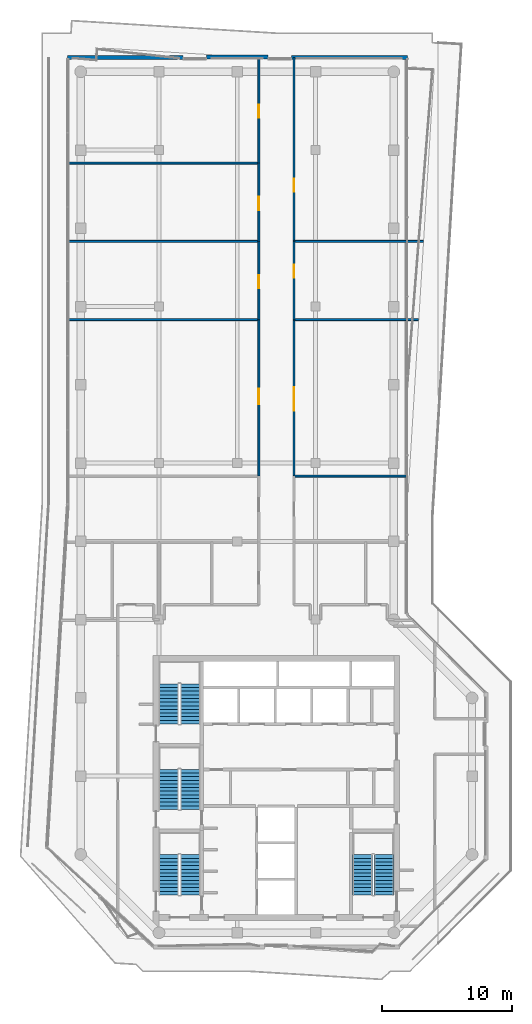
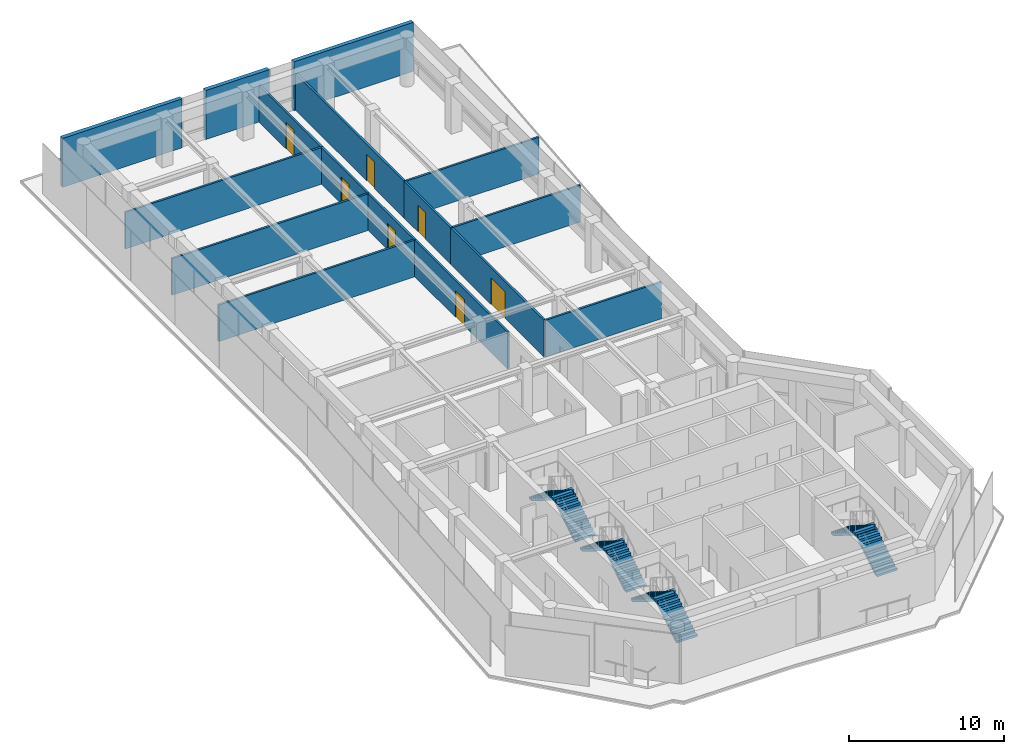
# One storey, part 17 of 19: 16 walls, 8 stair flights, 7 doors, 7 openings, 4 elements without a shape of their own.
"""IFC4 building model written with IfcOpenShell, lengths in metres."""

from ifc_helpers import new_model, si_unit, direction, frame, frame_2d, origin, place, context, subcontext, project, spatial, polyline, rectangle, outline, extrude, material, layer, layer_set, type_object, element, fill, aggregate, save


model = new_model("IFC4")

# Units and contexts
model_context = context("Model", 3, precision=1e-05, world=origin(), true_north=direction((0.0, 1.0)))
body_context = subcontext(model_context, "Body", "Model", "MODEL_VIEW")
ifc_project = project(units=[si_unit("LENGTHUNIT", "METRE"), si_unit("AREAUNIT", "SQUARE_METRE"), si_unit("VOLUMEUNIT", "CUBIC_METRE"), si_unit("PLANEANGLEUNIT", "RADIAN"), si_unit("MASSUNIT", "GRAM", prefix="KILO")], contexts=[model_context])

# Site, building, storey
site_placement = place(None, origin())
site = spatial("IfcSite", under=ifc_project, at=site_placement, CompositionType="ELEMENT")
building_placement = place(site_placement, origin())
building = spatial("IfcBuilding", under=site, at=building_placement, Name="Welwitschia Terrace Campus", CompositionType="ELEMENT")
storey_placement = place(building_placement, frame((0.0, 0.0, 243.199951171875)))
storey = spatial("IfcBuildingStorey", under=building, at=storey_placement, Name="L54", CompositionType="ELEMENT", Elevation=243.199951171875)

# Walls
ifc_material_1 = material(Name="Gypsum board on steel studs", Category="steel")
ifc_layer_1 = layer(ifc_material_1, 0.14990234375)
ifc_layer_set_1 = layer_set([ifc_layer_1], Name="Gypsum board on steel studs")
wall_type_1 = type_object("IfcWallType", Name="Corridor partition 150 EI 30", PredefinedType="PARTITIONING", material=ifc_layer_set_1)
for number, where, z_axis, x_axis, name in (
    (1, (-0.97998046875, 51.0, 0.0), (0.0, 0.0, 1.0), (1.0, 0.0, 0.0), "Partition"),
    (2, (-0.97998046875, 57.0, 0.0), (0.0, 0.0, 1.0), (1.0, 0.0, 0.0), "Partition"),
    (3, (-0.97998046875, 63.0, 0.0), (0.0, 0.0, 1.0), (1.0, 0.0, 0.0), "Partition"),
):
    element("IfcWall", number, at=place(storey_placement, frame(where, z_axis=z_axis, x_axis=x_axis)), inside=storey, type_object=wall_type_1, Name=name, PredefinedType="PARTITIONING", context=body_context, shape_type="SweptSolid", body=[
        extrude(rectangle(XDim=14.6298828125, YDim=0.14990234375, at=frame_2d((7.31494140625, 0.0))), origin(), (0.0, 0.0, 1.0), 2.880126953125),
    ])

# Wall, opening, door
wall_1_placement = place(storey_placement, frame((13.64990234375, 39.0, 0.0), z_axis=(0.0, 0.0, 1.0), x_axis=(0.0, 1.0, 0.0)))
wall_1 = element("IfcWall", 4, at=wall_1_placement, inside=storey, type_object=wall_type_1, Name="Partition", PredefinedType="PARTITIONING", context=body_context, shape_type="SweptSolid", body=[
    extrude(rectangle(XDim=12.0, YDim=0.14990234375, at=frame_2d((6.0, 0.0))), origin(), (0.0, 0.0, 1.0), 2.880126953125),
])
opening_1_placement = place(wall_1_placement, frame((5.5, 0.0, 0.0)))
opening_1 = element("IfcOpeningElement", 5, at=opening_1_placement, cuts=wall_1, Name="Opening DI12", PredefinedType="OPENING", context=body_context, shape_type="SweptSolid", body=[
    extrude(rectangle(XDim=1.199951171875, YDim=2.10009765625, at=frame_2d((0.60009765625, 1.050048828125))), frame((0.0, 0.0849609375, 0.0), z_axis=(0.0, -1.0, 0.0), x_axis=(1.0, 0.0, 0.0)), (0.0, 0.0, 1.0), 0.169921875),
])
ifc_material_2 = material(Name="Timber veneered door", Category="wood")
door_type_1 = type_object("IfcDoorType", Name="Interior door DI12", OperationType="NOTDEFINED", PredefinedType="DOOR", material=ifc_material_2)
door_1_placement = place(opening_1_placement, origin())
door_1 = element("IfcDoor", 6, at=door_1_placement, inside=storey, type_object=door_type_1, Name="Door L54 991", OperationType="SINGLE_SWING_RIGHT", OverallHeight=2.10009765625, OverallWidth=1.199951171875, PredefinedType="DOOR", context=body_context, shape_type="SweptSolid", body=[
    extrude(rectangle(XDim=1.199951171875, YDim=2.10009765625, at=frame_2d((0.60009765625, 1.050048828125))), frame((0.0, 0.02490234375, 0.0), z_axis=(0.0, -1.0, 0.0), x_axis=(1.0, 0.0, 0.0)), (0.0, 0.0, 1.0), 0.050048828125),
])
fill(opening_1, door_1)

wall_2_placement = place(storey_placement, frame((13.64990234375, 51.0, 0.0), z_axis=(0.0, 0.0, 1.0), x_axis=(0.0, 1.0, 0.0)))
wall_2 = element("IfcWall", 7, at=wall_2_placement, inside=storey, type_object=wall_type_1, Name="Partition", PredefinedType="PARTITIONING", context=body_context, shape_type="SweptSolid", body=[
    extrude(rectangle(XDim=6.0, YDim=0.14990234375, at=frame_2d((3.0, 0.0))), origin(), (0.0, 0.0, 1.0), 2.880126953125),
])
opening_2_placement = place(wall_2_placement, frame((2.39990234375, 0.0, 0.0)))
opening_2 = element("IfcOpeningElement", 8, at=opening_2_placement, cuts=wall_2, Name="Opening DI10", PredefinedType="OPENING", context=body_context, shape_type="SweptSolid", body=[
    extrude(rectangle(XDim=1.0, YDim=2.10009765625, at=frame_2d((0.5, 1.050048828125))), frame((0.0, 0.0849609375, 0.0), z_axis=(0.0, -1.0, 0.0), x_axis=(1.0, 0.0, 0.0)), (0.0, 0.0, 1.0), 0.169921875),
])
ifc_material_3 = material(Name="Timber veneered door", Category="wood")
door_type_2 = type_object("IfcDoorType", Name="Interior door DI10", OperationType="NOTDEFINED", PredefinedType="DOOR", material=ifc_material_3)
door_2_placement = place(opening_2_placement, origin())
door_2 = element("IfcDoor", 9, at=door_2_placement, inside=storey, type_object=door_type_2, Name="Door L54 992", OperationType="SINGLE_SWING_LEFT", OverallHeight=2.10009765625, OverallWidth=1.0, PredefinedType="DOOR", context=body_context, shape_type="SweptSolid", body=[
    extrude(rectangle(XDim=1.0, YDim=2.10009765625, at=frame_2d((0.5, 1.050048828125))), frame((0.0, 0.02490234375, 0.0), z_axis=(0.0, -1.0, 0.0), x_axis=(1.0, 0.0, 0.0)), (0.0, 0.0, 1.0), 0.050048828125),
])
fill(opening_2, door_2)

wall_3_placement = place(storey_placement, frame((13.64990234375, 57.0, 0.0), z_axis=(0.0, 0.0, 1.0), x_axis=(0.0, 1.0, 0.0)))
wall_3 = element("IfcWall", 10, at=wall_3_placement, inside=storey, type_object=wall_type_1, Name="Partition", PredefinedType="PARTITIONING", context=body_context, shape_type="SweptSolid", body=[
    extrude(rectangle(XDim=6.0, YDim=0.14990234375, at=frame_2d((3.0, 0.0))), origin(), (0.0, 0.0, 1.0), 2.880126953125),
])
opening_3_placement = place(wall_3_placement, frame((2.39990234375, 0.0, 0.0)))
opening_3 = element("IfcOpeningElement", 11, at=opening_3_placement, cuts=wall_3, Name="Opening DI10", PredefinedType="OPENING", context=body_context, shape_type="SweptSolid", body=[
    extrude(rectangle(XDim=1.0, YDim=2.10009765625, at=frame_2d((0.5, 1.050048828125))), frame((0.0, 0.0849609375, 0.0), z_axis=(0.0, -1.0, 0.0), x_axis=(1.0, 0.0, 0.0)), (0.0, 0.0, 1.0), 0.169921875),
])
door_3_placement = place(opening_3_placement, origin())
door_3 = element("IfcDoor", 12, at=door_3_placement, inside=storey, type_object=door_type_2, Name="Door L54 993", OperationType="SINGLE_SWING_RIGHT", OverallHeight=2.10009765625, OverallWidth=1.0, PredefinedType="DOOR", context=body_context, shape_type="SweptSolid", body=[
    extrude(rectangle(XDim=1.0, YDim=2.10009765625, at=frame_2d((0.5, 1.050048828125))), frame((0.0, 0.02490234375, 0.0), z_axis=(0.0, -1.0, 0.0), x_axis=(1.0, 0.0, 0.0)), (0.0, 0.0, 1.0), 0.050048828125),
])
fill(opening_3, door_3)

wall_4_placement = place(storey_placement, frame((13.64990234375, 63.0, 0.0), z_axis=(0.0, 0.0, 1.0), x_axis=(0.0, 1.0, 0.0)))
wall_4 = element("IfcWall", 13, at=wall_4_placement, inside=storey, type_object=wall_type_1, Name="Partition", PredefinedType="PARTITIONING", context=body_context, shape_type="SweptSolid", body=[
    extrude(rectangle(XDim=8.090087890625, YDim=0.14990234375, at=frame_2d((4.044921875, 0.0))), origin(), (0.0, 0.0, 1.0), 2.880126953125),
])
opening_4_placement = place(wall_4_placement, frame((3.47998046875, 0.0, 0.0)))
opening_4 = element("IfcOpeningElement", 14, at=opening_4_placement, cuts=wall_4, Name="Opening DI10", PredefinedType="OPENING", context=body_context, shape_type="SweptSolid", body=[
    extrude(rectangle(XDim=1.0, YDim=2.10009765625, at=frame_2d((0.5, 1.050048828125))), frame((0.0, 0.0849609375, 0.0), z_axis=(0.0, -1.0, 0.0), x_axis=(1.0, 0.0, 0.0)), (0.0, 0.0, 1.0), 0.169921875),
])
door_4_placement = place(opening_4_placement, origin())
door_4 = element("IfcDoor", 15, at=door_4_placement, inside=storey, type_object=door_type_2, Name="Door L54 994", OperationType="SINGLE_SWING_LEFT", OverallHeight=2.10009765625, OverallWidth=1.0, PredefinedType="DOOR", context=body_context, shape_type="SweptSolid", body=[
    extrude(rectangle(XDim=1.0, YDim=2.10009765625, at=frame_2d((0.5, 1.050048828125))), frame((0.0, 0.02490234375, 0.0), z_axis=(0.0, -1.0, 0.0), x_axis=(1.0, 0.0, 0.0)), (0.0, 0.0, 1.0), 0.050048828125),
])
fill(opening_4, door_4)

wall_5_placement = place(storey_placement, frame((16.35009765625, 39.0, 0.0), z_axis=(0.0, 0.0, 1.0), x_axis=(0.0, 1.0, 0.0)))
wall_5 = element("IfcWall", 16, at=wall_5_placement, inside=storey, type_object=wall_type_1, Name="Partition", PredefinedType="PARTITIONING", context=body_context, shape_type="SweptSolid", body=[
    extrude(rectangle(XDim=12.0, YDim=0.14990234375, at=frame_2d((6.0, 0.0))), origin(), (0.0, 0.0, 1.0), 2.880126953125),
])
opening_5_placement = place(wall_5_placement, frame((5.0, 0.0, 0.0)))
opening_5 = element("IfcOpeningElement", 17, at=opening_5_placement, cuts=wall_5, Name="Opening DI18", PredefinedType="OPENING", context=body_context, shape_type="SweptSolid", body=[
    extrude(rectangle(XDim=1.800048828125, YDim=2.10009765625, at=frame_2d((0.89990234375, 1.050048828125))), frame((0.0, 0.0849609375, 0.0), z_axis=(0.0, -1.0, 0.0), x_axis=(1.0, 0.0, 0.0)), (0.0, 0.0, 1.0), 0.169921875),
])
ifc_material_4 = material(Name="Timber veneered door", Category="wood")
door_type_3 = type_object("IfcDoorType", Name="Interior door DI18", OperationType="DOUBLE_DOOR_SINGLE_SWING", PredefinedType="DOOR", material=ifc_material_4)
door_5_placement = place(opening_5_placement, origin())
door_5 = element("IfcDoor", 18, at=door_5_placement, inside=storey, type_object=door_type_3, Name="Door L54 996", OperationType="SINGLE_SWING_LEFT", OverallHeight=2.10009765625, OverallWidth=1.800048828125, PredefinedType="DOOR", context=body_context, shape_type="SweptSolid", body=[
    extrude(rectangle(XDim=1.800048828125, YDim=2.10009765625, at=frame_2d((0.89990234375, 1.050048828125))), frame((0.0, 0.02490234375, 0.0), z_axis=(0.0, -1.0, 0.0), x_axis=(1.0, 0.0, 0.0)), (0.0, 0.0, 1.0), 0.050048828125),
])
fill(opening_5, door_5)

# Walls
wall_6_placement = place(storey_placement, frame((16.35009765625, 39.0, 0.0), z_axis=(0.0, 0.0, 1.0), x_axis=(1.0, 0.0, 0.0)))
element("IfcWall", 19, at=wall_6_placement, inside=storey, type_object=wall_type_1, Name="Partition", PredefinedType="PARTITIONING", context=body_context, shape_type="SweptSolid", body=[
    extrude(rectangle(XDim=8.619873046875, YDim=0.14990234375, at=frame_2d((4.31005859375, 0.0))), origin(), (0.0, 0.0, 1.0), 2.880126953125),
])
wall_7_placement = place(storey_placement, frame((16.35009765625, 51.0, 0.0), z_axis=(0.0, 0.0, 1.0), x_axis=(1.0, 0.0, 0.0)))
element("IfcWall", 20, at=wall_7_placement, inside=storey, type_object=wall_type_1, Name="Partition", PredefinedType="PARTITIONING", context=body_context, shape_type="SweptSolid", body=[
    extrude(rectangle(XDim=9.539794921875, YDim=0.14990234375, at=frame_2d((4.77001953125, 0.0))), origin(), (0.0, 0.0, 1.0), 2.880126953125),
])

# Wall, opening, door
wall_8_placement = place(storey_placement, frame((16.35009765625, 57.0, 0.0), z_axis=(0.0, 0.0, 1.0), x_axis=(0.0, -1.0, 0.0)))
wall_8 = element("IfcWall", 21, at=wall_8_placement, inside=storey, type_object=wall_type_1, Name="Partition", PredefinedType="PARTITIONING", context=body_context, shape_type="SweptSolid", body=[
    extrude(rectangle(XDim=6.0, YDim=0.14990234375, at=frame_2d((3.0, 0.0))), origin(), (0.0, 0.0, 1.0), 2.880126953125),
])
opening_6_placement = place(wall_8_placement, frame((1.800048828125, 0.0, 0.0)))
opening_6 = element("IfcOpeningElement", 22, at=opening_6_placement, cuts=wall_8, Name="Opening DI10", PredefinedType="OPENING", context=body_context, shape_type="SweptSolid", body=[
    extrude(rectangle(XDim=1.0, YDim=2.10009765625, at=frame_2d((0.5, 1.050048828125))), frame((0.0, 0.0849609375, 0.0), z_axis=(0.0, -1.0, 0.0), x_axis=(1.0, 0.0, 0.0)), (0.0, 0.0, 1.0), 0.169921875),
])
door_6_placement = place(opening_6_placement, origin())
door_6 = element("IfcDoor", 23, at=door_6_placement, inside=storey, type_object=door_type_2, Name="Door L54 997", OperationType="SINGLE_SWING_RIGHT", OverallHeight=2.10009765625, OverallWidth=1.0, PredefinedType="DOOR", context=body_context, shape_type="SweptSolid", body=[
    extrude(rectangle(XDim=1.0, YDim=2.10009765625, at=frame_2d((0.5, 1.050048828125))), frame((0.0, 0.02490234375, 0.0), z_axis=(0.0, -1.0, 0.0), x_axis=(1.0, 0.0, 0.0)), (0.0, 0.0, 1.0), 0.050048828125),
])
fill(opening_6, door_6)

# Wall
wall_9_placement = place(storey_placement, frame((16.35009765625, 57.0, 0.0), z_axis=(0.0, 0.0, 1.0), x_axis=(1.0, 0.0, 0.0)))
element("IfcWall", 24, at=wall_9_placement, inside=storey, type_object=wall_type_1, Name="Partition", PredefinedType="PARTITIONING", context=body_context, shape_type="SweptSolid", body=[
    extrude(rectangle(XDim=9.909912109375, YDim=0.14990234375, at=frame_2d((4.955078125, 0.0))), origin(), (0.0, 0.0, 1.0), 2.880126953125),
])

# Wall, opening, door
wall_10_placement = place(storey_placement, frame((16.35009765625, 71.090087890625, 0.0), z_axis=(0.0, 0.0, 1.0), x_axis=(0.0, -1.0, 0.0)))
wall_10 = element("IfcWall", 25, at=wall_10_placement, inside=storey, type_object=wall_type_1, Name="Partition", PredefinedType="PARTITIONING", context=body_context, shape_type="SweptSolid", body=[
    extrude(rectangle(XDim=14.090087890625, YDim=0.14990234375, at=frame_2d((7.044921875, 0.0))), origin(), (0.0, 0.0, 1.0), 2.880126953125),
])
opening_7_placement = place(wall_10_placement, frame((9.2900390625, 0.0, 0.0)))
opening_7 = element("IfcOpeningElement", 26, at=opening_7_placement, cuts=wall_10, Name="Opening DI10", PredefinedType="OPENING", context=body_context, shape_type="SweptSolid", body=[
    extrude(rectangle(XDim=1.0, YDim=2.10009765625, at=frame_2d((0.5, 1.050048828125))), frame((0.0, 0.0849609375, 0.0), z_axis=(0.0, -1.0, 0.0), x_axis=(1.0, 0.0, 0.0)), (0.0, 0.0, 1.0), 0.169921875),
])
door_7_placement = place(opening_7_placement, origin())
door_7 = element("IfcDoor", 27, at=door_7_placement, inside=storey, type_object=door_type_2, Name="Door L54 998", OperationType="SINGLE_SWING_LEFT", OverallHeight=2.10009765625, OverallWidth=1.0, PredefinedType="DOOR", context=body_context, shape_type="SweptSolid", body=[
    extrude(rectangle(XDim=1.0, YDim=2.10009765625, at=frame_2d((0.5, 1.050048828125))), frame((0.0, 0.02490234375, 0.0), z_axis=(0.0, -1.0, 0.0), x_axis=(1.0, 0.0, 0.0)), (0.0, 0.0, 1.0), 0.050048828125),
])
fill(opening_7, door_7)

# Walls
ifc_material_5 = material(Name="Concrete C40/50", Category="concrete")
ifc_layer_2 = layer(ifc_material_5, 0.300048828125)
ifc_layer_set_2 = layer_set([ifc_layer_2], Name="Concrete C40/50")
wall_type_2 = type_object("IfcWallType", Name="Mass wall 300", PredefinedType="SOLIDWALL", material=ifc_layer_set_2)
wall_11_placement = place(storey_placement, frame((25.030029296875, 71.078125, 0.0), z_axis=(0.0, 0.0, 1.0), x_axis=(-1.0, 0.0, 0.0)))
element("IfcWall", 28, at=wall_11_placement, inside=storey, type_object=wall_type_2, Name="Mass wall L54.7.0", PredefinedType="SOLIDWALL", context=body_context, shape_type="SweptSolid", body=[
    extrude(rectangle(XDim=8.87255859375, YDim=0.300048828125, at=frame_2d((4.436279296875, 0.0))), origin(), (0.0, 0.0, 1.0), 3.85009765625),
])
wall_12_placement = place(storey_placement, frame((14.357421875, 71.12158203125, 0.0), z_axis=(0.0, 0.0, 1.0), x_axis=(-1.0, 0.0, 0.0)))
element("IfcWall", 29, at=wall_12_placement, inside=storey, type_object=wall_type_2, Name="Mass wall L54.7.1", PredefinedType="SOLIDWALL", context=body_context, shape_type="SweptSolid", body=[
    extrude(rectangle(XDim=4.71484375, YDim=0.300048828125, at=frame_2d((2.357421875, 0.0))), origin(), (0.0, 0.0, 1.0), 3.85009765625),
])
wall_13_placement = place(storey_placement, frame((7.842529296875, 71.078125, 0.0), z_axis=(0.0, 0.0, 1.0), x_axis=(-1.0, 0.0, 0.0)))
element("IfcWall", 30, at=wall_13_placement, inside=storey, type_object=wall_type_2, Name="Mass wall L54.7.2", PredefinedType="SOLIDWALL", context=body_context, shape_type="SweptSolid", body=[
    extrude(rectangle(XDim=8.87255859375, YDim=0.300048828125, at=frame_2d((4.436279296875, 0.0))), origin(), (0.0, 0.0, 1.0), 3.85009765625),
])

# Stair, stair flights
ifc_material_6 = material(Name="Concrete C40/50", Category="concrete")
stair_type = type_object("IfcStairType", Name="Stair 24R 175 W1500", PredefinedType="HALF_TURN_STAIR", material=ifc_material_6)
stair_1_placement = place(storey_placement, origin())
stair_1 = element("IfcStair", 31, at=stair_1_placement, inside=storey, type_object=stair_type, Name="L54 Exit stair S1", PredefinedType="HALF_TURN_STAIR")
ifc_material_7 = material(Name="Concrete C40/50", Category="concrete")
stair_flight_type = type_object("IfcStairFlightType", Name="Stair flight 24R 175 W1500", PredefinedType="STRAIGHT", material=ifc_material_7)
stair_flight_1_placement = place(storey_placement, frame((8.39990234375, 6.89990234375, 0.0), z_axis=(0.0, 0.0, 1.0), x_axis=(0.0, 1.0, 0.0)))
stair_flight_1 = element("IfcStairFlight", 32, at=stair_flight_1_placement, type_object=stair_flight_type, Name="S1 flight 1", NumberOfRisers=12, NumberOfTreads=11, PredefinedType="STRAIGHT", RiserHeight=0.175, TreadLength=0.28, context=body_context, shape_type="SweptSolid", body=[
    extrude(outline(polyline([(0.0, 0.0), (0.0, 0.175048828125), (0.280029296875, 0.175048828125), (0.280029296875, 0.35009765625), (0.56005859375, 0.35009765625), (0.56005859375, 0.52490234375), (0.840087890625, 0.52490234375), (0.840087890625, 0.699951171875), (1.1201171875, 0.699951171875), (1.1201171875, 0.875), (1.39990234375, 0.875), (1.39990234375, 1.050048828125), (1.679931640625, 1.050048828125), (1.679931640625, 1.22509765625), (1.9599609375, 1.22509765625), (1.9599609375, 1.39990234375), (2.239990234375, 1.39990234375), (2.239990234375, 1.574951171875), (2.52001953125, 1.574951171875), (2.52001953125, 1.75), (2.800048828125, 1.75), (2.800048828125, 1.925048828125), (3.080078125, 1.925048828125), (3.080078125, 2.10009765625), (3.080078125, 1.748291015625), (0.28271484375, 0.0), (0.0, 0.0)])), frame((0.0, 0.75, 0.0), z_axis=(0.0, -1.0, 0.0), x_axis=(1.0, 0.0, 0.0)), (0.0, 0.0, 1.0), 1.5),
])
stair_flight_2_placement = place(storey_placement, frame((6.75, 9.97998046875, 2.10009765625), z_axis=(0.0, 0.0, 1.0), x_axis=(0.0, -1.0, 0.0)))
stair_flight_2 = element("IfcStairFlight", 33, at=stair_flight_2_placement, type_object=stair_flight_type, Name="S1 flight 2", NumberOfRisers=12, NumberOfTreads=11, PredefinedType="STRAIGHT", RiserHeight=0.175, TreadLength=0.28, context=body_context, shape_type="SweptSolid", body=[
    extrude(outline(polyline([(0.0, 0.0), (0.0, 0.175048828125), (0.280029296875, 0.175048828125), (0.280029296875, 0.35009765625), (0.56005859375, 0.35009765625), (0.56005859375, 0.52490234375), (0.840087890625, 0.52490234375), (0.840087890625, 0.699951171875), (1.1201171875, 0.699951171875), (1.1201171875, 0.875), (1.39990234375, 0.875), (1.39990234375, 1.050048828125), (1.679931640625, 1.050048828125), (1.679931640625, 1.22509765625), (1.9599609375, 1.22509765625), (1.9599609375, 1.39990234375), (2.239990234375, 1.39990234375), (2.239990234375, 1.574951171875), (2.52001953125, 1.574951171875), (2.52001953125, 1.75), (2.800048828125, 1.75), (2.800048828125, 1.925048828125), (3.080078125, 1.925048828125), (3.080078125, 2.10009765625), (3.080078125, 1.748291015625), (0.28271484375, 0.0), (0.0, 0.0)])), frame((0.0, 0.75, 0.0), z_axis=(0.0, -1.0, 0.0), x_axis=(1.0, 0.0, 0.0)), (0.0, 0.0, 1.0), 1.5),
])
aggregate(stair_1, [stair_flight_1, stair_flight_2])

stair_2_placement = place(storey_placement, origin())
stair_2 = element("IfcStair", 34, at=stair_2_placement, inside=storey, type_object=stair_type, Name="L54 Exit stair S3", PredefinedType="HALF_TURN_STAIR")
stair_flight_3_placement = place(storey_placement, frame((8.39990234375, 13.449951171875, 0.0), z_axis=(0.0, 0.0, 1.0), x_axis=(0.0, 1.0, 0.0)))
stair_flight_3 = element("IfcStairFlight", 35, at=stair_flight_3_placement, type_object=stair_flight_type, Name="S3 flight 1", NumberOfRisers=12, NumberOfTreads=11, PredefinedType="STRAIGHT", RiserHeight=0.175, TreadLength=0.28, context=body_context, shape_type="SweptSolid", body=[
    extrude(outline(polyline([(0.0, 0.0), (0.0, 0.175048828125), (0.280029296875, 0.175048828125), (0.280029296875, 0.35009765625), (0.56005859375, 0.35009765625), (0.56005859375, 0.52490234375), (0.840087890625, 0.52490234375), (0.840087890625, 0.699951171875), (1.1201171875, 0.699951171875), (1.1201171875, 0.875), (1.39990234375, 0.875), (1.39990234375, 1.050048828125), (1.679931640625, 1.050048828125), (1.679931640625, 1.22509765625), (1.9599609375, 1.22509765625), (1.9599609375, 1.39990234375), (2.239990234375, 1.39990234375), (2.239990234375, 1.574951171875), (2.52001953125, 1.574951171875), (2.52001953125, 1.75), (2.800048828125, 1.75), (2.800048828125, 1.925048828125), (3.080078125, 1.925048828125), (3.080078125, 2.10009765625), (3.080078125, 1.748291015625), (0.28271484375, 0.0), (0.0, 0.0)])), frame((0.0, 0.75, 0.0), z_axis=(0.0, -1.0, 0.0), x_axis=(1.0, 0.0, 0.0)), (0.0, 0.0, 1.0), 1.5),
])
stair_flight_4_placement = place(storey_placement, frame((6.75, 16.530029296875, 2.10009765625), z_axis=(0.0, 0.0, 1.0), x_axis=(0.0, -1.0, 0.0)))
stair_flight_4 = element("IfcStairFlight", 36, at=stair_flight_4_placement, type_object=stair_flight_type, Name="S3 flight 2", NumberOfRisers=12, NumberOfTreads=11, PredefinedType="STRAIGHT", RiserHeight=0.175, TreadLength=0.28, context=body_context, shape_type="SweptSolid", body=[
    extrude(outline(polyline([(0.0, 0.0), (0.0, 0.175048828125), (0.280029296875, 0.175048828125), (0.280029296875, 0.35009765625), (0.56005859375, 0.35009765625), (0.56005859375, 0.52490234375), (0.840087890625, 0.52490234375), (0.840087890625, 0.699951171875), (1.1201171875, 0.699951171875), (1.1201171875, 0.875), (1.39990234375, 0.875), (1.39990234375, 1.050048828125), (1.679931640625, 1.050048828125), (1.679931640625, 1.22509765625), (1.9599609375, 1.22509765625), (1.9599609375, 1.39990234375), (2.239990234375, 1.39990234375), (2.239990234375, 1.574951171875), (2.52001953125, 1.574951171875), (2.52001953125, 1.75), (2.800048828125, 1.75), (2.800048828125, 1.925048828125), (3.080078125, 1.925048828125), (3.080078125, 2.10009765625), (3.080078125, 1.748291015625), (0.28271484375, 0.0), (0.0, 0.0)])), frame((0.0, 0.75, 0.0), z_axis=(0.0, -1.0, 0.0), x_axis=(1.0, 0.0, 0.0)), (0.0, 0.0, 1.0), 1.5),
])
aggregate(stair_2, [stair_flight_3, stair_flight_4])

stair_3_placement = place(storey_placement, origin())
stair_3 = element("IfcStair", 37, at=stair_3_placement, inside=storey, type_object=stair_type, Name="L54 Exit stair S4", PredefinedType="HALF_TURN_STAIR")
stair_flight_5_placement = place(storey_placement, frame((8.39990234375, 20.0, 0.0), z_axis=(0.0, 0.0, 1.0), x_axis=(0.0, 1.0, 0.0)))
stair_flight_5 = element("IfcStairFlight", 38, at=stair_flight_5_placement, type_object=stair_flight_type, Name="S4 flight 1", NumberOfRisers=12, NumberOfTreads=11, PredefinedType="STRAIGHT", RiserHeight=0.175, TreadLength=0.28, context=body_context, shape_type="SweptSolid", body=[
    extrude(outline(polyline([(0.0, 0.0), (0.0, 0.175048828125), (0.280029296875, 0.175048828125), (0.280029296875, 0.35009765625), (0.56005859375, 0.35009765625), (0.56005859375, 0.52490234375), (0.840087890625, 0.52490234375), (0.840087890625, 0.699951171875), (1.1201171875, 0.699951171875), (1.1201171875, 0.875), (1.39990234375, 0.875), (1.39990234375, 1.050048828125), (1.679931640625, 1.050048828125), (1.679931640625, 1.22509765625), (1.9599609375, 1.22509765625), (1.9599609375, 1.39990234375), (2.239990234375, 1.39990234375), (2.239990234375, 1.574951171875), (2.52001953125, 1.574951171875), (2.52001953125, 1.75), (2.800048828125, 1.75), (2.800048828125, 1.925048828125), (3.080078125, 1.925048828125), (3.080078125, 2.10009765625), (3.080078125, 1.748291015625), (0.28271484375, 0.0), (0.0, 0.0)])), frame((0.0, 0.75, 0.0), z_axis=(0.0, -1.0, 0.0), x_axis=(1.0, 0.0, 0.0)), (0.0, 0.0, 1.0), 1.5),
])
stair_flight_6_placement = place(storey_placement, frame((6.75, 23.080078125, 2.10009765625), z_axis=(0.0, 0.0, 1.0), x_axis=(0.0, -1.0, 0.0)))
stair_flight_6 = element("IfcStairFlight", 39, at=stair_flight_6_placement, type_object=stair_flight_type, Name="S4 flight 2", NumberOfRisers=12, NumberOfTreads=11, PredefinedType="STRAIGHT", RiserHeight=0.175, TreadLength=0.28, context=body_context, shape_type="SweptSolid", body=[
    extrude(outline(polyline([(0.0, 0.0), (0.0, 0.175048828125), (0.280029296875, 0.175048828125), (0.280029296875, 0.35009765625), (0.56005859375, 0.35009765625), (0.56005859375, 0.52490234375), (0.840087890625, 0.52490234375), (0.840087890625, 0.699951171875), (1.1201171875, 0.699951171875), (1.1201171875, 0.875), (1.39990234375, 0.875), (1.39990234375, 1.050048828125), (1.679931640625, 1.050048828125), (1.679931640625, 1.22509765625), (1.9599609375, 1.22509765625), (1.9599609375, 1.39990234375), (2.239990234375, 1.39990234375), (2.239990234375, 1.574951171875), (2.52001953125, 1.574951171875), (2.52001953125, 1.75), (2.800048828125, 1.75), (2.800048828125, 1.925048828125), (3.080078125, 1.925048828125), (3.080078125, 2.10009765625), (3.080078125, 1.748291015625), (0.28271484375, 0.0), (0.0, 0.0)])), frame((0.0, 0.75, 0.0), z_axis=(0.0, -1.0, 0.0), x_axis=(1.0, 0.0, 0.0)), (0.0, 0.0, 1.0), 1.5),
])
aggregate(stair_3, [stair_flight_5, stair_flight_6])

stair_4_placement = place(storey_placement, origin())
stair_4 = element("IfcStair", 40, at=stair_4_placement, inside=storey, type_object=stair_type, Name="L54 Exit stair S2", PredefinedType="HALF_TURN_STAIR")
stair_flight_7_placement = place(storey_placement, frame((23.25, 6.89990234375, 0.0), z_axis=(0.0, 0.0, 1.0), x_axis=(0.0, 1.0, 0.0)))
stair_flight_7 = element("IfcStairFlight", 41, at=stair_flight_7_placement, type_object=stair_flight_type, Name="S2 flight 1", NumberOfRisers=12, NumberOfTreads=11, PredefinedType="STRAIGHT", RiserHeight=0.175, TreadLength=0.28, context=body_context, shape_type="SweptSolid", body=[
    extrude(outline(polyline([(0.0, 0.0), (0.0, 0.175048828125), (0.280029296875, 0.175048828125), (0.280029296875, 0.35009765625), (0.56005859375, 0.35009765625), (0.56005859375, 0.52490234375), (0.840087890625, 0.52490234375), (0.840087890625, 0.699951171875), (1.1201171875, 0.699951171875), (1.1201171875, 0.875), (1.39990234375, 0.875), (1.39990234375, 1.050048828125), (1.679931640625, 1.050048828125), (1.679931640625, 1.22509765625), (1.9599609375, 1.22509765625), (1.9599609375, 1.39990234375), (2.239990234375, 1.39990234375), (2.239990234375, 1.574951171875), (2.52001953125, 1.574951171875), (2.52001953125, 1.75), (2.800048828125, 1.75), (2.800048828125, 1.925048828125), (3.080078125, 1.925048828125), (3.080078125, 2.10009765625), (3.080078125, 1.748291015625), (0.28271484375, 0.0), (0.0, 0.0)])), frame((0.0, 0.75, 0.0), z_axis=(0.0, -1.0, 0.0), x_axis=(1.0, 0.0, 0.0)), (0.0, 0.0, 1.0), 1.5),
])
stair_flight_8_placement = place(storey_placement, frame((21.60009765625, 9.97998046875, 2.10009765625), z_axis=(0.0, 0.0, 1.0), x_axis=(0.0, -1.0, 0.0)))
stair_flight_8 = element("IfcStairFlight", 42, at=stair_flight_8_placement, type_object=stair_flight_type, Name="S2 flight 2", NumberOfRisers=12, NumberOfTreads=11, PredefinedType="STRAIGHT", RiserHeight=0.175, TreadLength=0.28, context=body_context, shape_type="SweptSolid", body=[
    extrude(outline(polyline([(0.0, 0.0), (0.0, 0.175048828125), (0.280029296875, 0.175048828125), (0.280029296875, 0.35009765625), (0.56005859375, 0.35009765625), (0.56005859375, 0.52490234375), (0.840087890625, 0.52490234375), (0.840087890625, 0.699951171875), (1.1201171875, 0.699951171875), (1.1201171875, 0.875), (1.39990234375, 0.875), (1.39990234375, 1.050048828125), (1.679931640625, 1.050048828125), (1.679931640625, 1.22509765625), (1.9599609375, 1.22509765625), (1.9599609375, 1.39990234375), (2.239990234375, 1.39990234375), (2.239990234375, 1.574951171875), (2.52001953125, 1.574951171875), (2.52001953125, 1.75), (2.800048828125, 1.75), (2.800048828125, 1.925048828125), (3.080078125, 1.925048828125), (3.080078125, 2.10009765625), (3.080078125, 1.748291015625), (0.28271484375, 0.0), (0.0, 0.0)])), frame((0.0, 0.75, 0.0), z_axis=(0.0, -1.0, 0.0), x_axis=(1.0, 0.0, 0.0)), (0.0, 0.0, 1.0), 1.5),
])
aggregate(stair_4, [stair_flight_7, stair_flight_8])

save(model, "model.ifc")
